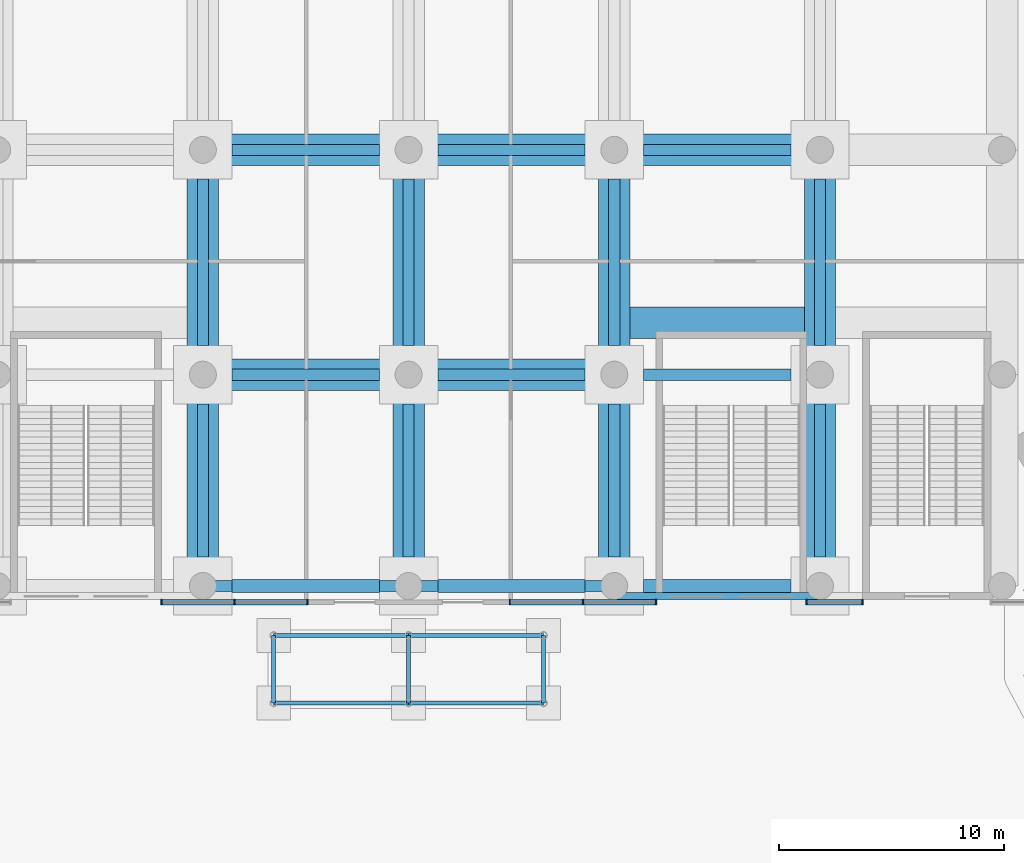
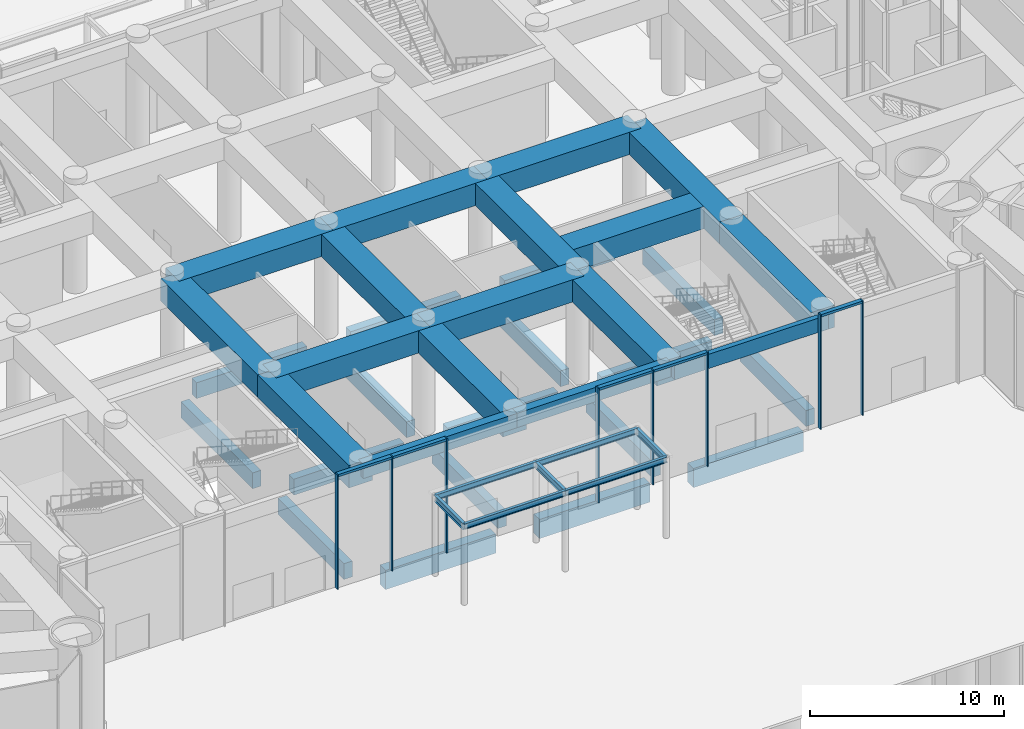
# One storey, part 11 of 43: 41 beams, 13 members, 3 elements without a shape of their own.
"""IFC4 building model written with IfcOpenShell, lengths in metres."""

from ifc_helpers import new_model, si_unit, direction, frame, origin, origin_2d, place, context, subcontext, project, spatial, rectangle, i_section, extrude, material, material_profile, profile_set, type_object, element, aggregate, save


model = new_model("IFC4")

# Units and contexts
model_context = context("Model", 3, precision=1e-05, world=origin(), true_north=direction((0.0, 1.0)))
body_context = subcontext(model_context, "Body", "Model", "MODEL_VIEW")
ifc_project = project(units=[si_unit("LENGTHUNIT", "METRE"), si_unit("AREAUNIT", "SQUARE_METRE"), si_unit("VOLUMEUNIT", "CUBIC_METRE"), si_unit("PLANEANGLEUNIT", "RADIAN"), si_unit("MASSUNIT", "GRAM", prefix="KILO")], contexts=[model_context])

# Site, building, storey
site_placement = place(None, origin())
site = spatial("IfcSite", under=ifc_project, at=site_placement, CompositionType="ELEMENT")
building_placement = place(site_placement, origin())
building = spatial("IfcBuilding", under=site, at=building_placement, Name="Lancet Gate Hotel", CompositionType="ELEMENT")
storey_placement = place(building_placement, origin())
storey = spatial("IfcBuildingStorey", under=building, at=storey_placement, Name="L00", CompositionType="ELEMENT", Elevation=0.0)

# Curtain wall, members
ifc_material_1 = material(Name="Aluminium curtain wall", Category="aluminium")
curtain_wall_type = type_object("IfcCurtainWallType", Name="Podium curtain wall", PredefinedType="USERDEFINED", material=ifc_material_1)
curtain_wall_1_placement = place(storey_placement, origin())
curtain_wall_1 = element("IfcCurtainWall", 1, at=curtain_wall_1_placement, inside=storey, type_object=curtain_wall_type, Name="Podium L00 curtain wall S3", ObjectType="UNITISED CURTAIN WALL", PredefinedType="USERDEFINED")
ifc_material_2 = material(Name="Aluminium mullion", Category="aluminium")
ifc_material_profile_1 = material_profile(ifc_material_2, rectangle(XDim=0.06494140625, YDim=0.25, at=origin_2d()), Name="MULLION 65x250")
ifc_profile_set_1 = profile_set([ifc_material_profile_1], Name="Aluminium mullion")
member_type_1 = type_object("IfcMemberType", Name="Aluminium mullion 65x250", PredefinedType="MULLION", material=ifc_profile_set_1)
member_1_placement = place(storey_placement, frame((-11.0, -20.1201171875, 0.0), z_axis=(0.0, 0.0, 1.0), x_axis=(1.0, 0.0, 0.0)))
member_1 = element("IfcMember", 2, at=member_1_placement, type_object=member_type_1, Name="Podium L00 curtain wall S3 mullion 1", PredefinedType="MULLION", context=body_context, shape_type="SweptSolid", body=[
    extrude(rectangle(XDim=0.06494140625, YDim=0.25, at=origin_2d()), origin(), (0.0, 0.0, 1.0), 7.199951171875),
])
member_2_placement = place(storey_placement, frame((-7.75, -20.1201171875, 0.0), z_axis=(0.0, 0.0, 1.0), x_axis=(1.0, 0.0, 0.0)))
member_2 = element("IfcMember", 3, at=member_2_placement, type_object=member_type_1, Name="Podium L00 curtain wall S3 mullion 2", PredefinedType="MULLION", context=body_context, shape_type="SweptSolid", body=[
    extrude(rectangle(XDim=0.06494140625, YDim=0.25, at=origin_2d()), origin(), (0.0, 0.0, 1.0), 7.199951171875),
])
member_3_placement = place(storey_placement, frame((-4.5, -20.1201171875, 0.0), z_axis=(0.0, 0.0, 1.0), x_axis=(1.0, 0.0, 0.0)))
member_3 = element("IfcMember", 4, at=member_3_placement, type_object=member_type_1, Name="Podium L00 curtain wall S3 mullion 3", PredefinedType="MULLION", context=body_context, shape_type="SweptSolid", body=[
    extrude(rectangle(XDim=0.06494140625, YDim=0.25, at=origin_2d()), origin(), (0.0, 0.0, 1.0), 7.199951171875),
])

curtain_wall_2_placement = place(storey_placement, origin())
curtain_wall_2 = element("IfcCurtainWall", 5, at=curtain_wall_2_placement, inside=storey, type_object=curtain_wall_type, Name="Podium L00 curtain wall S4", ObjectType="UNITISED CURTAIN WALL", PredefinedType="USERDEFINED")
member_4_placement = place(storey_placement, frame((4.5, -20.1201171875, 0.0), z_axis=(0.0, 0.0, 1.0), x_axis=(1.0, 0.0, 0.0)))
member_4 = element("IfcMember", 6, at=member_4_placement, type_object=member_type_1, Name="Podium L00 curtain wall S4 mullion 1", PredefinedType="MULLION", context=body_context, shape_type="SweptSolid", body=[
    extrude(rectangle(XDim=0.06494140625, YDim=0.25, at=origin_2d()), origin(), (0.0, 0.0, 1.0), 7.199951171875),
])
member_5_placement = place(storey_placement, frame((7.75, -20.1201171875, 0.0), z_axis=(0.0, 0.0, 1.0), x_axis=(1.0, 0.0, 0.0)))
member_5 = element("IfcMember", 7, at=member_5_placement, type_object=member_type_1, Name="Podium L00 curtain wall S4 mullion 2", PredefinedType="MULLION", context=body_context, shape_type="SweptSolid", body=[
    extrude(rectangle(XDim=0.06494140625, YDim=0.25, at=origin_2d()), origin(), (0.0, 0.0, 1.0), 7.199951171875),
])
member_6_placement = place(storey_placement, frame((11.0, -20.1201171875, 0.0), z_axis=(0.0, 0.0, 1.0), x_axis=(1.0, 0.0, 0.0)))
member_6 = element("IfcMember", 8, at=member_6_placement, type_object=member_type_1, Name="Podium L00 curtain wall S4 mullion 3", PredefinedType="MULLION", context=body_context, shape_type="SweptSolid", body=[
    extrude(rectangle(XDim=0.06494140625, YDim=0.25, at=origin_2d()), origin(), (0.0, 0.0, 1.0), 7.199951171875),
])

curtain_wall_3_placement = place(storey_placement, origin())
curtain_wall_3 = element("IfcCurtainWall", 9, at=curtain_wall_3_placement, inside=storey, type_object=curtain_wall_type, Name="Podium L00 curtain wall S5", ObjectType="UNITISED CURTAIN WALL", PredefinedType="USERDEFINED")
member_7_placement = place(storey_placement, frame((17.699951171875, -20.1201171875, 0.0), z_axis=(0.0, 0.0, 1.0), x_axis=(1.0, 0.0, 0.0)))
member_7 = element("IfcMember", 10, at=member_7_placement, type_object=member_type_1, Name="Podium L00 curtain wall S5 mullion 1", PredefinedType="MULLION", context=body_context, shape_type="SweptSolid", body=[
    extrude(rectangle(XDim=0.06494140625, YDim=0.25, at=origin_2d()), origin(), (0.0, 0.0, 1.0), 7.199951171875),
])
member_8_placement = place(storey_placement, frame((20.199951171875, -20.1201171875, 0.0), z_axis=(0.0, 0.0, 1.0), x_axis=(1.0, 0.0, 0.0)))
member_8 = element("IfcMember", 11, at=member_8_placement, type_object=member_type_1, Name="Podium L00 curtain wall S5 mullion 2", PredefinedType="MULLION", context=body_context, shape_type="SweptSolid", body=[
    extrude(rectangle(XDim=0.06494140625, YDim=0.25, at=origin_2d()), origin(), (0.0, 0.0, 1.0), 7.199951171875),
])

# Member
ifc_material_3 = material(Name="Aluminium transom", Category="aluminium")
ifc_material_profile_2 = material_profile(ifc_material_3, rectangle(XDim=0.25, YDim=0.14990234375, at=origin_2d()), Name="TRANSOM 250x150")
ifc_profile_set_2 = profile_set([ifc_material_profile_2], Name="Aluminium transom")
member_type_2 = type_object("IfcMemberType", Name="Aluminium transom 250x150", PredefinedType="USERDEFINED", material=ifc_profile_set_2)
member_9_placement = place(storey_placement, frame((-10.967529296875, -20.1201171875, 7.125), z_axis=(1.0, 0.0, 0.0), x_axis=(0.0, 1.0, 0.0)))
member_9 = element("IfcMember", 12, at=member_9_placement, type_object=member_type_2, Name="Podium L00 curtain wall S3 transom 1", ObjectType="TRANSOM", PredefinedType="USERDEFINED", context=body_context, shape_type="SweptSolid", body=[
    extrude(rectangle(XDim=0.25, YDim=0.14990234375, at=origin_2d()), origin(), (0.0, 0.0, 1.0), 3.18505859375),
])

member_10_placement = place(storey_placement, frame((-7.717529296875, -20.1201171875, 7.125), z_axis=(1.0, 0.0, 0.0), x_axis=(0.0, 1.0, 0.0)))
member_10 = element("IfcMember", 13, at=member_10_placement, type_object=member_type_2, Name="Podium L00 curtain wall S3 transom 2", ObjectType="TRANSOM", PredefinedType="USERDEFINED", context=body_context, shape_type="SweptSolid", body=[
    extrude(rectangle(XDim=0.25, YDim=0.14990234375, at=origin_2d()), origin(), (0.0, 0.0, 1.0), 3.18505859375),
])

aggregate(curtain_wall_1, [member_1, member_2, member_3, member_9, member_10])

member_11_placement = place(storey_placement, frame((4.532470703125, -20.1201171875, 7.125), z_axis=(1.0, 0.0, 0.0), x_axis=(0.0, 1.0, 0.0)))
member_11 = element("IfcMember", 14, at=member_11_placement, type_object=member_type_2, Name="Podium L00 curtain wall S4 transom 1", ObjectType="TRANSOM", PredefinedType="USERDEFINED", context=body_context, shape_type="SweptSolid", body=[
    extrude(rectangle(XDim=0.25, YDim=0.14990234375, at=origin_2d()), origin(), (0.0, 0.0, 1.0), 3.18505859375),
])

member_12_placement = place(storey_placement, frame((7.782470703125, -20.1201171875, 7.125), z_axis=(1.0, 0.0, 0.0), x_axis=(0.0, 1.0, 0.0)))
member_12 = element("IfcMember", 15, at=member_12_placement, type_object=member_type_2, Name="Podium L00 curtain wall S4 transom 2", ObjectType="TRANSOM", PredefinedType="USERDEFINED", context=body_context, shape_type="SweptSolid", body=[
    extrude(rectangle(XDim=0.25, YDim=0.14990234375, at=origin_2d()), origin(), (0.0, 0.0, 1.0), 3.18505859375),
])

aggregate(curtain_wall_2, [member_4, member_5, member_6, member_11, member_12])

member_13_placement = place(storey_placement, frame((17.732421875, -20.1201171875, 7.125), z_axis=(1.0, 0.0, 0.0), x_axis=(0.0, 1.0, 0.0)))
member_13 = element("IfcMember", 16, at=member_13_placement, type_object=member_type_2, Name="Podium L00 curtain wall S5 transom 1", ObjectType="TRANSOM", PredefinedType="USERDEFINED", context=body_context, shape_type="SweptSolid", body=[
    extrude(rectangle(XDim=0.25, YDim=0.14990234375, at=origin_2d()), origin(), (0.0, 0.0, 1.0), 2.43505859375),
])

aggregate(curtain_wall_3, [member_7, member_8, member_13])

# Beams
ifc_material_4 = material(Name="Steel S355", Category="steel")
ifc_material_profile_3 = material_profile(ifc_material_4, i_section(OverallWidth=0.177978515625, OverallDepth=0.406494140625, WebThickness=0.0078125, FlangeThickness=0.0126953125, FilletRadius=0.01025390625, at=origin_2d()), Name="UKB 406x178x60")
ifc_profile_set_3 = profile_set([ifc_material_profile_3], Name="Steel S355")
beam_type_1 = type_object("IfcBeamType", Name="Canopy beam UKB 406x178x60", PredefinedType="BEAM", material=ifc_profile_set_3)
for number, where, z_axis, x_axis, name in (
    (17, (-6.0, -21.60009765625, 4.8466796875), (0.0, -1.0, 0.0), (1.0, 0.0, 0.0), "Canopy beam S1"),
    (18, (0.0, -21.60009765625, 4.8466796875), (0.0, -1.0, 0.0), (1.0, 0.0, 0.0), "Canopy beam S2"),
    (19, (6.0, -21.60009765625, 4.8466796875), (0.0, -1.0, 0.0), (1.0, 0.0, 0.0), "Canopy beam S3"),
):
    element("IfcBeam", number, at=place(storey_placement, frame(where, z_axis=z_axis, x_axis=x_axis)), inside=storey, type_object=beam_type_1, Name=name, PredefinedType="BEAM", context=body_context, shape_type="SweptSolid", body=[
        extrude(i_section(OverallWidth=0.177978515625, OverallDepth=0.406494140625, WebThickness=0.0078125, FlangeThickness=0.0126953125, FilletRadius=0.01025390625, at=origin_2d()), origin(), (0.0, 0.0, 1.0), 3.0),
    ])
ifc_material_5 = material(Name="Steel S355", Category="steel")
ifc_material_profile_4 = material_profile(ifc_material_5, i_section(OverallWidth=0.17138671875, OverallDepth=0.35498046875, WebThickness=0.00732421875, FlangeThickness=0.011474609375, FilletRadius=0.01025390625, at=origin_2d()), Name="UKB 356x171x51")
ifc_profile_set_4 = profile_set([ifc_material_profile_4], Name="Steel S355")
beam_type_2 = type_object("IfcBeamType", Name="Canopy edge beam UKB 356x171x51", PredefinedType="BEAM", material=ifc_profile_set_4)
for number, where, z_axis, x_axis, name in (
    (20, (-6.0, -21.60009765625, 4.87255859375), (1.0, 0.0, 0.0), (0.0, 1.0, 0.0), "Canopy edge beam SA1"),
    (21, (0.0, -21.60009765625, 4.87255859375), (1.0, 0.0, 0.0), (0.0, 1.0, 0.0), "Canopy edge beam SA2"),
    (22, (-6.0, -24.60009765625, 4.87255859375), (1.0, 0.0, 0.0), (0.0, 1.0, 0.0), "Canopy edge beam SB1"),
    (23, (0.0, -24.60009765625, 4.87255859375), (1.0, 0.0, 0.0), (0.0, 1.0, 0.0), "Canopy edge beam SB2"),
):
    element("IfcBeam", number, at=place(storey_placement, frame(where, z_axis=z_axis, x_axis=x_axis)), inside=storey, type_object=beam_type_2, Name=name, PredefinedType="BEAM", context=body_context, shape_type="SweptSolid", body=[
        extrude(i_section(OverallWidth=0.17138671875, OverallDepth=0.35498046875, WebThickness=0.00732421875, FlangeThickness=0.011474609375, FilletRadius=0.01025390625, at=origin_2d()), origin(), (0.0, 0.0, 1.0), 6.0),
    ])
ifc_material_6 = material(Name="Concrete C40/50", Category="concrete")
ifc_material_profile_5 = material_profile(ifc_material_6, rectangle(XDim=0.5, YDim=1.0, at=origin_2d()), Name="RC 500x1000")
ifc_profile_set_5 = profile_set([ifc_material_profile_5], Name="Concrete C40/50")
beam_type_3 = type_object("IfcBeamType", Name="Ground beam RC 500x1000", PredefinedType="BEAM", material=ifc_profile_set_5)
beam_1_placement = place(storey_placement, frame((-9.14990234375, -18.10009765625, -0.75), z_axis=(0.0, 1.0, 0.0), x_axis=(-1.0, 0.0, 0.0)))
element("IfcBeam", 24, at=beam_1_placement, inside=storey, type_object=beam_type_3, Name="Ground beam 3A-3B", PredefinedType="BEAM", context=body_context, shape_type="SweptSolid", body=[
    extrude(rectangle(XDim=0.5, YDim=1.0, at=origin_2d()), origin(), (0.0, 0.0, 1.0), 6.800048828125),
])
beam_2_placement = place(storey_placement, frame((-7.85009765625, -10.0, -0.75), z_axis=(1.0, 0.0, 0.0), x_axis=(0.0, 1.0, 0.0)))
element("IfcBeam", 25, at=beam_2_placement, inside=storey, type_object=beam_type_3, Name="Ground beam 3B-4B", PredefinedType="BEAM", context=body_context, shape_type="SweptSolid", body=[
    extrude(rectangle(XDim=0.5, YDim=1.0, at=origin_2d()), origin(), (0.0, 0.0, 1.0), 6.550048828125),
])
beam_3_placement = place(storey_placement, frame((-9.14990234375, -8.699951171875, -0.75), z_axis=(0.0, 1.0, 0.0), x_axis=(-1.0, 0.0, 0.0)))
element("IfcBeam", 26, at=beam_3_placement, inside=storey, type_object=beam_type_3, Name="Ground beam 3B-3C", PredefinedType="BEAM", context=body_context, shape_type="SweptSolid", body=[
    extrude(rectangle(XDim=0.5, YDim=1.0, at=origin_2d()), origin(), (0.0, 0.0, 1.0), 7.39990234375),
])
beam_4_placement = place(storey_placement, frame((-7.85009765625, 0.0, -0.75), z_axis=(1.0, 0.0, 0.0), x_axis=(0.0, 1.0, 0.0)))
element("IfcBeam", 27, at=beam_4_placement, inside=storey, type_object=beam_type_3, Name="Ground beam 3C-4C", PredefinedType="BEAM", context=body_context, shape_type="SweptSolid", body=[
    extrude(rectangle(XDim=0.5, YDim=1.0, at=origin_2d()), origin(), (0.0, 0.0, 1.0), 6.550048828125),
])
beam_5_placement = place(storey_placement, frame((0.0, -18.10009765625, -0.75), z_axis=(0.0, 1.0, 0.0), x_axis=(-1.0, 0.0, 0.0)))
element("IfcBeam", 28, at=beam_5_placement, inside=storey, type_object=beam_type_3, Name="Ground beam 4A-4B", PredefinedType="BEAM", context=body_context, shape_type="SweptSolid", body=[
    extrude(rectangle(XDim=0.5, YDim=1.0, at=origin_2d()), origin(), (0.0, 0.0, 1.0), 6.800048828125),
])
beam_6_placement = place(storey_placement, frame((1.300048828125, -10.0, -0.75), z_axis=(1.0, 0.0, 0.0), x_axis=(0.0, 1.0, 0.0)))
element("IfcBeam", 29, at=beam_6_placement, inside=storey, type_object=beam_type_3, Name="Ground beam 4B-5B", PredefinedType="BEAM", context=body_context, shape_type="SweptSolid", body=[
    extrude(rectangle(XDim=0.5, YDim=1.0, at=origin_2d()), origin(), (0.0, 0.0, 1.0), 6.550048828125),
])
beam_7_placement = place(storey_placement, frame((0.0, -8.699951171875, -0.75), z_axis=(0.0, 1.0, 0.0), x_axis=(-1.0, 0.0, 0.0)))
element("IfcBeam", 30, at=beam_7_placement, inside=storey, type_object=beam_type_3, Name="Ground beam 4B-4C", PredefinedType="BEAM", context=body_context, shape_type="SweptSolid", body=[
    extrude(rectangle(XDim=0.5, YDim=1.0, at=origin_2d()), origin(), (0.0, 0.0, 1.0), 7.39990234375),
])
beam_8_placement = place(storey_placement, frame((1.300048828125, 0.0, -0.75), z_axis=(1.0, 0.0, 0.0), x_axis=(0.0, 1.0, 0.0)))
element("IfcBeam", 31, at=beam_8_placement, inside=storey, type_object=beam_type_3, Name="Ground beam 4C-5C", PredefinedType="BEAM", context=body_context, shape_type="SweptSolid", body=[
    extrude(rectangle(XDim=0.5, YDim=1.0, at=origin_2d()), origin(), (0.0, 0.0, 1.0), 6.550048828125),
])
beam_9_placement = place(storey_placement, frame((9.14990234375, -18.10009765625, -0.75), z_axis=(0.0, 1.0, 0.0), x_axis=(-1.0, 0.0, 0.0)))
element("IfcBeam", 32, at=beam_9_placement, inside=storey, type_object=beam_type_3, Name="Ground beam 5A-5B", PredefinedType="BEAM", context=body_context, shape_type="SweptSolid", body=[
    extrude(rectangle(XDim=0.5, YDim=1.0, at=origin_2d()), origin(), (0.0, 0.0, 1.0), 6.800048828125),
])
beam_10_placement = place(storey_placement, frame((10.449951171875, -10.0, -0.75), z_axis=(1.0, 0.0, 0.0), x_axis=(0.0, 1.0, 0.0)))
element("IfcBeam", 33, at=beam_10_placement, inside=storey, type_object=beam_type_3, Name="Ground beam 5B-6B", PredefinedType="BEAM", context=body_context, shape_type="SweptSolid", body=[
    extrude(rectangle(XDim=0.5, YDim=1.0, at=origin_2d()), origin(), (0.0, 0.0, 1.0), 6.550048828125),
])
beam_11_placement = place(storey_placement, frame((9.14990234375, -8.699951171875, -0.75), z_axis=(0.0, 1.0, 0.0), x_axis=(-1.0, 0.0, 0.0)))
element("IfcBeam", 34, at=beam_11_placement, inside=storey, type_object=beam_type_3, Name="Ground beam 5B-5C", PredefinedType="BEAM", context=body_context, shape_type="SweptSolid", body=[
    extrude(rectangle(XDim=0.5, YDim=1.0, at=origin_2d()), origin(), (0.0, 0.0, 1.0), 7.39990234375),
])
beam_12_placement = place(storey_placement, frame((10.449951171875, 0.0, -0.75), z_axis=(1.0, 0.0, 0.0), x_axis=(0.0, 1.0, 0.0)))
element("IfcBeam", 35, at=beam_12_placement, inside=storey, type_object=beam_type_3, Name="Ground beam 5C-6C", PredefinedType="BEAM", context=body_context, shape_type="SweptSolid", body=[
    extrude(rectangle(XDim=0.5, YDim=1.0, at=origin_2d()), origin(), (0.0, 0.0, 1.0), 6.550048828125),
])
beam_13_placement = place(storey_placement, frame((18.300048828125, -18.10009765625, -0.75), z_axis=(0.0, 1.0, 0.0), x_axis=(-1.0, 0.0, 0.0)))
element("IfcBeam", 36, at=beam_13_placement, inside=storey, type_object=beam_type_3, Name="Ground beam 6A-6B", PredefinedType="BEAM", context=body_context, shape_type="SweptSolid", body=[
    extrude(rectangle(XDim=0.5, YDim=1.0, at=origin_2d()), origin(), (0.0, 0.0, 1.0), 6.800048828125),
])
beam_14_placement = place(storey_placement, frame((18.300048828125, -8.699951171875, -0.75), z_axis=(0.0, 1.0, 0.0), x_axis=(-1.0, 0.0, 0.0)))
element("IfcBeam", 37, at=beam_14_placement, inside=storey, type_object=beam_type_3, Name="Ground beam 6B-6C", PredefinedType="BEAM", context=body_context, shape_type="SweptSolid", body=[
    extrude(rectangle(XDim=0.5, YDim=1.0, at=origin_2d()), origin(), (0.0, 0.0, 1.0), 7.39990234375),
])
ifc_material_7 = material(Name="Concrete C40/50", Category="concrete")
ifc_material_profile_6 = material_profile(ifc_material_7, rectangle(XDim=0.60009765625, YDim=1.199951171875, at=origin_2d()), Name="RC 600x1200")
ifc_profile_set_6 = profile_set([ifc_material_profile_6], Name="Concrete C40/50")
beam_type_4 = type_object("IfcBeamType", Name="Ground beam RC 600x1200", PredefinedType="BEAM", material=ifc_profile_set_6)
for number, where, z_axis, x_axis, name in (
    (38, (-7.85009765625, -19.39990234375, -0.85009765625), (1.0, 0.0, 0.0), (0.0, 1.0, 0.0), "Ground beam 3A-4A"),
    (39, (1.300048828125, -19.39990234375, -0.85009765625), (1.0, 0.0, 0.0), (0.0, 1.0, 0.0), "Ground beam 4A-5A"),
    (40, (10.449951171875, -19.39990234375, -0.85009765625), (1.0, 0.0, 0.0), (0.0, 1.0, 0.0), "Ground beam 5A-6A"),
):
    element("IfcBeam", number, at=place(storey_placement, frame(where, z_axis=z_axis, x_axis=x_axis)), inside=storey, type_object=beam_type_4, Name=name, PredefinedType="BEAM", context=body_context, shape_type="SweptSolid", body=[
        extrude(rectangle(XDim=0.60009765625, YDim=1.199951171875, at=origin_2d()), origin(), (0.0, 0.0, 1.0), 6.550048828125),
    ])
ifc_material_8 = material(Name="Concrete C50/60", Category="concrete")
ifc_material_profile_7 = material_profile(ifc_material_8, rectangle(XDim=1.39990234375, YDim=1.39990234375, at=origin_2d()), Name="RC 1400x1400")
ifc_profile_set_7 = profile_set([ifc_material_profile_7], Name="Concrete C50/60")
beam_type_5 = type_object("IfcBeamType", Name="Podium beam RC 1400x1400", PredefinedType="BEAM", material=ifc_profile_set_7)
for number, where, z_axis, x_axis, name in (
    (41, (-9.14990234375, -10.0, 6.14990234375), (1.0, 0.0, 0.0), (0.0, 1.0, 0.0), "Podium beam B/3-4 L00"),
    (42, (0.0, -10.0, 6.14990234375), (1.0, 0.0, 0.0), (0.0, 1.0, 0.0), "Podium beam B/4-5 L00"),
    (43, (-9.14990234375, 0.0, 6.14990234375), (1.0, 0.0, 0.0), (0.0, 1.0, 0.0), "Podium beam C/3-4 L00"),
    (44, (0.0, 0.0, 6.14990234375), (1.0, 0.0, 0.0), (0.0, 1.0, 0.0), "Podium beam C/4-5 L00"),
):
    element("IfcBeam", number, at=place(storey_placement, frame(where, z_axis=z_axis, x_axis=x_axis)), inside=storey, type_object=beam_type_5, Name=name, PredefinedType="BEAM", context=body_context, shape_type="SweptSolid", body=[
        extrude(rectangle(XDim=1.39990234375, YDim=1.39990234375, at=origin_2d()), origin(), (0.0, 0.0, 1.0), 9.14990234375),
    ])
beam_15_placement = place(storey_placement, frame((9.14990234375, 0.0, 6.14990234375), z_axis=(1.0, 0.0, 0.0), x_axis=(0.0, 1.0, 0.0)))
element("IfcBeam", 45, at=beam_15_placement, inside=storey, type_object=beam_type_5, Name="Podium beam C/5-6 L00", PredefinedType="BEAM", context=body_context, shape_type="SweptSolid", body=[
    extrude(rectangle(XDim=1.39990234375, YDim=1.39990234375, at=origin_2d()), origin(), (0.0, 0.0, 1.0), 9.150146484375),
])
beam_16_placement = place(storey_placement, frame((9.85009765625, -7.679931640625, 6.14990234375), z_axis=(1.0, 0.0, 0.0), x_axis=(0.0, 1.0, 0.0)))
element("IfcBeam", 46, at=beam_16_placement, inside=storey, type_object=beam_type_5, Name="Podium trimmer beam PS1 L00", PredefinedType="BEAM", context=body_context, shape_type="SweptSolid", body=[
    extrude(rectangle(XDim=1.39990234375, YDim=1.39990234375, at=origin_2d()), origin(), (0.0, 0.0, 1.0), 7.75),
])
beam_17_placement = place(storey_placement, frame((-9.14990234375, -19.39990234375, 6.14990234375), z_axis=(0.0, 1.0, 0.0), x_axis=(-1.0, 0.0, 0.0)))
element("IfcBeam", 47, at=beam_17_placement, inside=storey, type_object=beam_type_5, Name="Podium beam 3/A-B L00", PredefinedType="BEAM", context=body_context, shape_type="SweptSolid", body=[
    extrude(rectangle(XDim=1.39990234375, YDim=1.39990234375, at=origin_2d()), origin(), (0.0, 0.0, 1.0), 9.39990234375),
])
beam_18_placement = place(storey_placement, frame((-9.14990234375, -10.0, 6.14990234375), z_axis=(0.0, 1.0, 0.0), x_axis=(-1.0, 0.0, 0.0)))
element("IfcBeam", 48, at=beam_18_placement, inside=storey, type_object=beam_type_5, Name="Podium beam 3/B-C L00", PredefinedType="BEAM", context=body_context, shape_type="SweptSolid", body=[
    extrude(rectangle(XDim=1.39990234375, YDim=1.39990234375, at=origin_2d()), origin(), (0.0, 0.0, 1.0), 10.0),
])
beam_19_placement = place(storey_placement, frame((0.0, -19.39990234375, 6.14990234375), z_axis=(0.0, 1.0, 0.0), x_axis=(-1.0, 0.0, 0.0)))
element("IfcBeam", 49, at=beam_19_placement, inside=storey, type_object=beam_type_5, Name="Podium beam 4/A-B L00", PredefinedType="BEAM", context=body_context, shape_type="SweptSolid", body=[
    extrude(rectangle(XDim=1.39990234375, YDim=1.39990234375, at=origin_2d()), origin(), (0.0, 0.0, 1.0), 9.39990234375),
])
beam_20_placement = place(storey_placement, frame((0.0, -10.0, 6.14990234375), z_axis=(0.0, 1.0, 0.0), x_axis=(-1.0, 0.0, 0.0)))
element("IfcBeam", 50, at=beam_20_placement, inside=storey, type_object=beam_type_5, Name="Podium beam 4/B-C L00", PredefinedType="BEAM", context=body_context, shape_type="SweptSolid", body=[
    extrude(rectangle(XDim=1.39990234375, YDim=1.39990234375, at=origin_2d()), origin(), (0.0, 0.0, 1.0), 10.0),
])
beam_21_placement = place(storey_placement, frame((9.14990234375, -19.39990234375, 6.14990234375), z_axis=(0.0, 1.0, 0.0), x_axis=(-1.0, 0.0, 0.0)))
element("IfcBeam", 51, at=beam_21_placement, inside=storey, type_object=beam_type_5, Name="Podium beam 5/A-B L00", PredefinedType="BEAM", context=body_context, shape_type="SweptSolid", body=[
    extrude(rectangle(XDim=1.39990234375, YDim=1.39990234375, at=origin_2d()), origin(), (0.0, 0.0, 1.0), 9.39990234375),
])
beam_22_placement = place(storey_placement, frame((9.14990234375, -10.0, 6.14990234375), z_axis=(0.0, 1.0, 0.0), x_axis=(-1.0, 0.0, 0.0)))
element("IfcBeam", 52, at=beam_22_placement, inside=storey, type_object=beam_type_5, Name="Podium beam 5/B-C L00", PredefinedType="BEAM", context=body_context, shape_type="SweptSolid", body=[
    extrude(rectangle(XDim=1.39990234375, YDim=1.39990234375, at=origin_2d()), origin(), (0.0, 0.0, 1.0), 10.0),
])
beam_23_placement = place(storey_placement, frame((18.300048828125, -19.39990234375, 6.14990234375), z_axis=(0.0, 1.0, 0.0), x_axis=(-1.0, 0.0, 0.0)))
element("IfcBeam", 53, at=beam_23_placement, inside=storey, type_object=beam_type_5, Name="Podium beam 6/A-B L00", PredefinedType="BEAM", context=body_context, shape_type="SweptSolid", body=[
    extrude(rectangle(XDim=1.39990234375, YDim=1.39990234375, at=origin_2d()), origin(), (0.0, 0.0, 1.0), 9.39990234375),
])
beam_24_placement = place(storey_placement, frame((18.300048828125, -10.0, 6.14990234375), z_axis=(0.0, 1.0, 0.0), x_axis=(-1.0, 0.0, 0.0)))
element("IfcBeam", 54, at=beam_24_placement, inside=storey, type_object=beam_type_5, Name="Podium beam 6/B-C L00", PredefinedType="BEAM", context=body_context, shape_type="SweptSolid", body=[
    extrude(rectangle(XDim=1.39990234375, YDim=1.39990234375, at=origin_2d()), origin(), (0.0, 0.0, 1.0), 10.0),
])
ifc_material_9 = material(Name="Concrete C50/60", Category="concrete")
ifc_material_profile_8 = material_profile(ifc_material_9, rectangle(XDim=0.5, YDim=0.89990234375, at=origin_2d()), Name="RC 500x900")
ifc_profile_set_8 = profile_set([ifc_material_profile_8], Name="Concrete C50/60")
beam_type_6 = type_object("IfcBeamType", Name="Podium edge beam RC 500x900", PredefinedType="BEAM", material=ifc_profile_set_8)
for number, where, z_axis, x_axis, name in (
    (55, (-9.14990234375, -19.39990234375, 6.39990234375), (1.0, 0.0, 0.0), (0.0, 1.0, 0.0), "Podium beam A/3-4 L00"),
    (56, (0.0, -19.39990234375, 6.39990234375), (1.0, 0.0, 0.0), (0.0, 1.0, 0.0), "Podium beam A/4-5 L00"),
):
    element("IfcBeam", number, at=place(storey_placement, frame(where, z_axis=z_axis, x_axis=x_axis)), inside=storey, type_object=beam_type_6, Name=name, PredefinedType="BEAM", context=body_context, shape_type="SweptSolid", body=[
        extrude(rectangle(XDim=0.5, YDim=0.89990234375, at=origin_2d()), origin(), (0.0, 0.0, 1.0), 9.14990234375),
    ])
ifc_material_10 = material(Name="Concrete C50/60", Category="concrete")
ifc_material_profile_9 = material_profile(ifc_material_10, rectangle(XDim=0.300048828125, YDim=0.89990234375, at=origin_2d()), Name="RC 300x900")
ifc_profile_set_9 = profile_set([ifc_material_profile_9], Name="Concrete C50/60")
beam_type_7 = type_object("IfcBeamType", Name="Podium stair edge beam RC 300x900", PredefinedType="BEAM", material=ifc_profile_set_9)
beam_25_placement = place(storey_placement, frame((9.14990234375, -19.85009765625, 6.39990234375), z_axis=(1.0, 0.0, 0.0), x_axis=(0.0, 1.0, 0.0)))
element("IfcBeam", 57, at=beam_25_placement, inside=storey, type_object=beam_type_7, Name="Podium beam A/5-6 L00", PredefinedType="BEAM", context=body_context, shape_type="SweptSolid", body=[
    extrude(rectangle(XDim=0.300048828125, YDim=0.89990234375, at=origin_2d()), origin(), (0.0, 0.0, 1.0), 9.150146484375),
])

save(model, "model.ifc")
